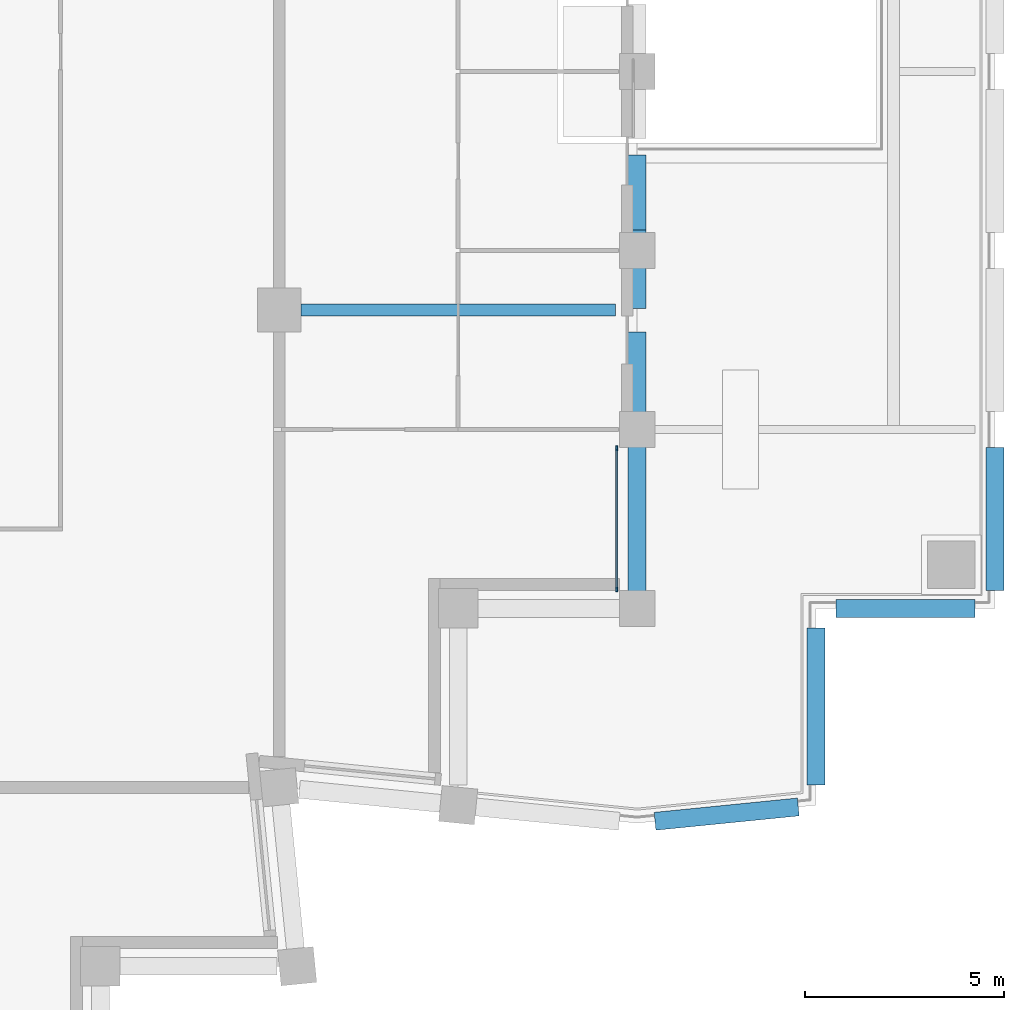
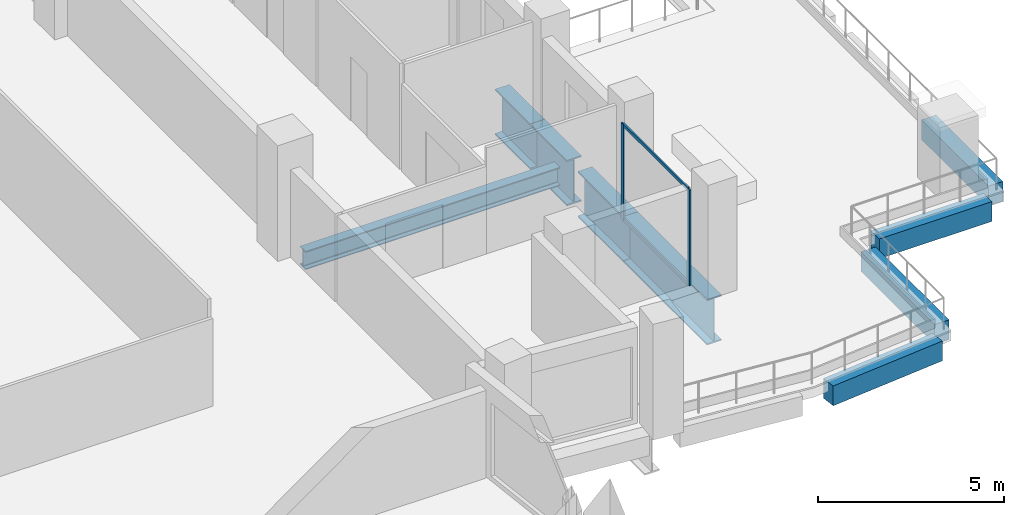
# One storey, part 2 of 11: 9 beams, 4 members, 1 element without a shape of its own.
"""IFC4 building model written with IfcOpenShell, lengths in metres."""

from ifc_helpers import new_model, si_unit, direction, frame, origin, origin_2d, place, context, subcontext, project, spatial, rectangle, i_section, extrude, material, material_profile, profile_set, type_object, element, aggregate, save


model = new_model("IFC4")

# Units and contexts
model_context = context("Model", 3, precision=1e-05, world=origin(), true_north=direction((0.0, 1.0)))
body_context = subcontext(model_context, "Body", "Model", "MODEL_VIEW")
ifc_project = project(units=[si_unit("LENGTHUNIT", "METRE"), si_unit("AREAUNIT", "SQUARE_METRE"), si_unit("VOLUMEUNIT", "CUBIC_METRE"), si_unit("PLANEANGLEUNIT", "RADIAN"), si_unit("MASSUNIT", "GRAM", prefix="KILO")], contexts=[model_context])

# Site, building, storey
site_placement = place(None, origin())
site = spatial("IfcSite", under=ifc_project, at=site_placement, CompositionType="ELEMENT")
building_placement = place(site_placement, origin())
building = spatial("IfcBuilding", under=site, at=building_placement, Name="Brondeck Convention Tower", CompositionType="ELEMENT")
storey_placement = place(building_placement, frame((0.0, 0.0, 252.39990234375)))
storey = spatial("IfcBuildingStorey", under=building, at=storey_placement, Name="L62", CompositionType="ELEMENT", Elevation=252.39990234375)

# Curtain wall, members
ifc_material_1 = material(Name="Aluminium, bronze anodised", Category="aluminium")
curtain_wall_type = type_object("IfcCurtainWallType", Name="Terrace door screen curtain wall", PredefinedType="NOTDEFINED", material=ifc_material_1)
curtain_wall_placement = place(storey_placement, origin())
curtain_wall = element("IfcCurtainWall", 1, at=curtain_wall_placement, inside=storey, type_object=curtain_wall_type, Name="ENV-CW6-L62-A-E45-01", PredefinedType="NOTDEFINED")
ifc_material_profile_1 = material_profile(ifc_material_1, rectangle(XDim=0.050048828125, YDim=0.1201171875, at=origin_2d()), Name="CW6 mullion")
ifc_profile_set_1 = profile_set([ifc_material_profile_1], Name="Aluminium, bronze anodised")
member_type_1 = type_object("IfcMemberType", Name="CW6 mullion", PredefinedType="MULLION", material=ifc_profile_set_1)
member_1_placement = place(storey_placement, frame((44.489990234375, 35.52490234375, 0.0), z_axis=(0.0, 0.0, 1.0), x_axis=(1.0, 0.0, 0.0)))
member_1 = element("IfcMember", 2, at=member_1_placement, type_object=member_type_1, Name="CW6 mullion 1", PredefinedType="MULLION", context=body_context, shape_type="SweptSolid", body=[
    extrude(rectangle(XDim=0.050048828125, YDim=0.1201171875, at=origin_2d()), origin(), (0.0, 0.0, 1.0), 3.150146484375),
])
member_2_placement = place(storey_placement, frame((44.489990234375, 31.97509765625, 0.0), z_axis=(0.0, 0.0, 1.0), x_axis=(1.0, 0.0, 0.0)))
member_2 = element("IfcMember", 3, at=member_2_placement, type_object=member_type_1, Name="CW6 mullion 2", PredefinedType="MULLION", context=body_context, shape_type="SweptSolid", body=[
    extrude(rectangle(XDim=0.050048828125, YDim=0.1201171875, at=origin_2d()), origin(), (0.0, 0.0, 1.0), 3.150146484375),
])
ifc_material_profile_2 = material_profile(ifc_material_1, rectangle(XDim=0.050048828125, YDim=0.10009765625, at=origin_2d()), Name="CW6 transom")
ifc_profile_set_2 = profile_set([ifc_material_profile_2], Name="Aluminium, bronze anodised")
member_type_2 = type_object("IfcMemberType", Name="CW6 transom", PredefinedType="USERDEFINED", material=ifc_profile_set_2)
member_3_placement = place(storey_placement, frame((44.489990234375, 35.5, 0.025146484375), z_axis=(0.0, -1.0, 0.0), x_axis=(1.0, 0.0, 0.0)))
member_3 = element("IfcMember", 4, at=member_3_placement, type_object=member_type_2, Name="CW6 transom 1.1", ObjectType="TRANSOM", PredefinedType="USERDEFINED", context=body_context, shape_type="SweptSolid", body=[
    extrude(rectangle(XDim=0.050048828125, YDim=0.10009765625, at=origin_2d()), origin(), (0.0, 0.0, 1.0), 3.5),
])
member_4_placement = place(storey_placement, frame((44.489990234375, 35.5, 3.125), z_axis=(0.0, -1.0, 0.0), x_axis=(1.0, 0.0, 0.0)))
member_4 = element("IfcMember", 5, at=member_4_placement, type_object=member_type_2, Name="CW6 transom 1.2", ObjectType="TRANSOM", PredefinedType="USERDEFINED", context=body_context, shape_type="SweptSolid", body=[
    extrude(rectangle(XDim=0.050048828125, YDim=0.10009765625, at=origin_2d()), origin(), (0.0, 0.0, 1.0), 3.5),
])
aggregate(curtain_wall, [member_1, member_2, member_3, member_4])

# Beams
ifc_material_2 = material(Name="Steel S355", Category="steel")
ifc_material_profile_3 = material_profile(ifc_material_2, i_section(OverallWidth=0.300048828125, OverallDepth=0.60009765625, WebThickness=0.015380859375, FlangeThickness=0.030029296875, FilletRadius=0.027099609375, at=origin_2d()), Name="HEB 600")
ifc_profile_set_3 = profile_set([ifc_material_profile_3], Name="Steel S355")
beam_type_1 = type_object("IfcBeamType", Name="Girder HEB 600", PredefinedType="BEAM", material=ifc_profile_set_3)
beam_1_placement = place(storey_placement, frame((36.550048828125, 39.0, -0.599853515625), z_axis=(1.0, 0.0, 0.0), x_axis=(0.0, 1.0, 0.0)))
element("IfcBeam", 6, at=beam_1_placement, inside=storey, type_object=beam_type_1, Name="STR-GR-L62-001", PredefinedType="BEAM", context=body_context, shape_type="SweptSolid", body=[
    extrude(i_section(OverallWidth=0.300048828125, OverallDepth=0.60009765625, WebThickness=0.015380859375, FlangeThickness=0.030029296875, FilletRadius=0.027099609375, at=origin_2d()), origin(), (0.0, 0.0, 1.0), 7.89990234375),
])
ifc_material_3 = material(Name="Concrete C50/60", Category="concrete")
ifc_material_profile_4 = material_profile(ifc_material_3, rectangle(XDim=0.449951171875, YDim=0.64990234375, at=origin_2d()), Name="Precast spandrel 450x650 Concrete C50/60")
ifc_profile_set_4 = profile_set([ifc_material_profile_4], Name="Concrete C50/60")
beam_type_2 = type_object("IfcBeamType", Name="Precast spandrel 450x650 Concrete C50/60", PredefinedType="SPANDREL", material=ifc_profile_set_4)
beam_2_placement = place(storey_placement, frame((54.0, 35.550048828125, -0.324951171875), z_axis=(0.0, -1.0, 0.0), x_axis=(1.0, 0.0, 0.0)))
element("IfcBeam", 7, at=beam_2_placement, inside=storey, type_object=beam_type_2, Name="STR-SP-L62T1-009", PredefinedType="SPANDREL", context=body_context, shape_type="SweptSolid", body=[
    extrude(rectangle(XDim=0.449951171875, YDim=0.64990234375, at=origin_2d()), origin(), (0.0, 0.0, 1.0), 3.60009765625),
])
beam_3_placement = place(storey_placement, frame((53.5, 31.5, -0.324951171875), z_axis=(-1.0, 0.0, 0.0), x_axis=(0.0, -1.0, 0.0)))
element("IfcBeam", 8, at=beam_3_placement, inside=storey, type_object=beam_type_2, Name="STR-SP-L62T1-010", PredefinedType="SPANDREL", context=body_context, shape_type="SweptSolid", body=[
    extrude(rectangle(XDim=0.449951171875, YDim=0.64990234375, at=origin_2d()), origin(), (0.0, 0.0, 1.0), 3.5),
])
beam_4_placement = place(storey_placement, frame((49.5, 31.0, -0.324951171875), z_axis=(0.0, -1.0, 0.0), x_axis=(1.0, 0.0, 0.0)))
element("IfcBeam", 9, at=beam_4_placement, inside=storey, type_object=beam_type_2, Name="STR-SP-L62T1-011", PredefinedType="SPANDREL", context=body_context, shape_type="SweptSolid", body=[
    extrude(rectangle(XDim=0.449951171875, YDim=0.64990234375, at=origin_2d()), origin(), (0.0, 0.0, 1.0), 3.947509765625),
])
beam_5_placement = place(storey_placement, frame((49.05224609375, 26.505126953125, -0.324951171875), z_axis=(-0.995040528141, -0.099470334057, 0.0), x_axis=(0.099470334057, -0.995040528141, 0.0)))
element("IfcBeam", 10, at=beam_5_placement, inside=storey, type_object=beam_type_2, Name="STR-SP-L62T1-012", PredefinedType="SPANDREL", context=body_context, shape_type="SweptSolid", body=[
    extrude(rectangle(XDim=0.449951171875, YDim=0.64990234375, at=origin_2d()), origin(), (0.0, 0.0, 1.0), 3.620361328125),
])
ifc_material_4 = material(Name="Steel S460", Category="steel")
ifc_material_profile_5 = material_profile(ifc_material_4, i_section(OverallWidth=0.449951171875, OverallDepth=1.5, WebThickness=0.02490234375, FlangeThickness=0.044921875, at=origin_2d()), Name="PG 1500x450")
ifc_profile_set_5 = profile_set([ifc_material_profile_5], Name="Steel S460")
beam_type_3 = type_object("IfcBeamType", Name="Transfer girder PG 1500x450", PredefinedType="BEAM", material=ifc_profile_set_5)
beam_6_placement = place(storey_placement, frame((45.0, 31.5, -1.0498046875), z_axis=(0.0, 1.0, 0.0), x_axis=(-1.0, 0.0, 0.0)))
element("IfcBeam", 11, at=beam_6_placement, inside=storey, type_object=beam_type_3, Name="Setback transfer girder PG-L62-3", PredefinedType="BEAM", context=body_context, shape_type="SweptSolid", body=[
    extrude(i_section(OverallWidth=0.449951171875, OverallDepth=1.5, WebThickness=0.02490234375, FlangeThickness=0.044921875, at=origin_2d()), origin(), (0.0, 0.0, 1.0), 4.5),
])
beam_7_placement = place(storey_placement, frame((45.0, 36.0, -1.0498046875), z_axis=(0.0, 1.0, 0.0), x_axis=(-1.0, 0.0, 0.0)))
element("IfcBeam", 12, at=beam_7_placement, inside=storey, type_object=beam_type_3, Name="Setback transfer girder PG-L62-4", PredefinedType="BEAM", context=body_context, shape_type="SweptSolid", body=[
    extrude(i_section(OverallWidth=0.449951171875, OverallDepth=1.5, WebThickness=0.02490234375, FlangeThickness=0.044921875, at=origin_2d()), origin(), (0.0, 0.0, 1.0), 2.449951171875),
])
beam_8_placement = place(storey_placement, frame((45.0, 39.0400390625, -1.0498046875), z_axis=(0.0, 1.0, 0.0), x_axis=(-1.0, 0.0, 0.0)))
element("IfcBeam", 13, at=beam_8_placement, inside=storey, type_object=beam_type_3, Name="Setback transfer girder PG-L62-5", PredefinedType="BEAM", context=body_context, shape_type="SweptSolid", body=[
    extrude(i_section(OverallWidth=0.449951171875, OverallDepth=1.5, WebThickness=0.02490234375, FlangeThickness=0.044921875, at=origin_2d()), origin(), (0.0, 0.0, 1.0), 1.969970703125),
])
beam_9_placement = place(storey_placement, frame((45.0, 40.5, -1.0498046875), z_axis=(0.0, 1.0, 0.0), x_axis=(-1.0, 0.0, 0.0)))
element("IfcBeam", 14, at=beam_9_placement, inside=storey, type_object=beam_type_3, Name="Setback transfer girder PG-L62-6", PredefinedType="BEAM", context=body_context, shape_type="SweptSolid", body=[
    extrude(i_section(OverallWidth=0.449951171875, OverallDepth=1.5, WebThickness=0.02490234375, FlangeThickness=0.044921875, at=origin_2d()), origin(), (0.0, 0.0, 1.0), 2.39990234375),
])

save(model, "model.ifc")
